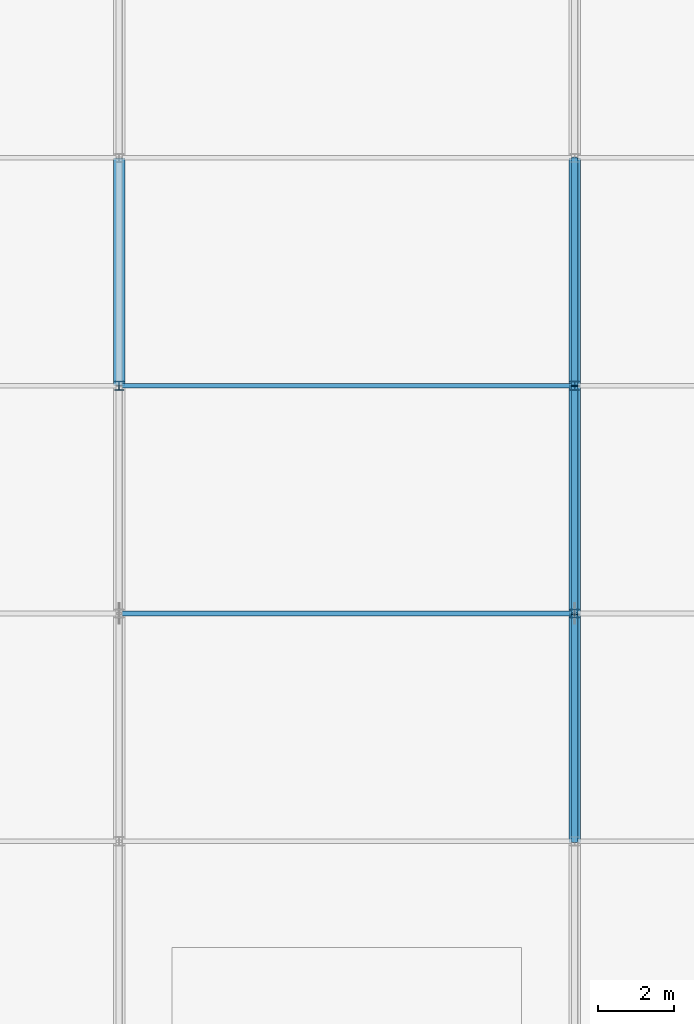
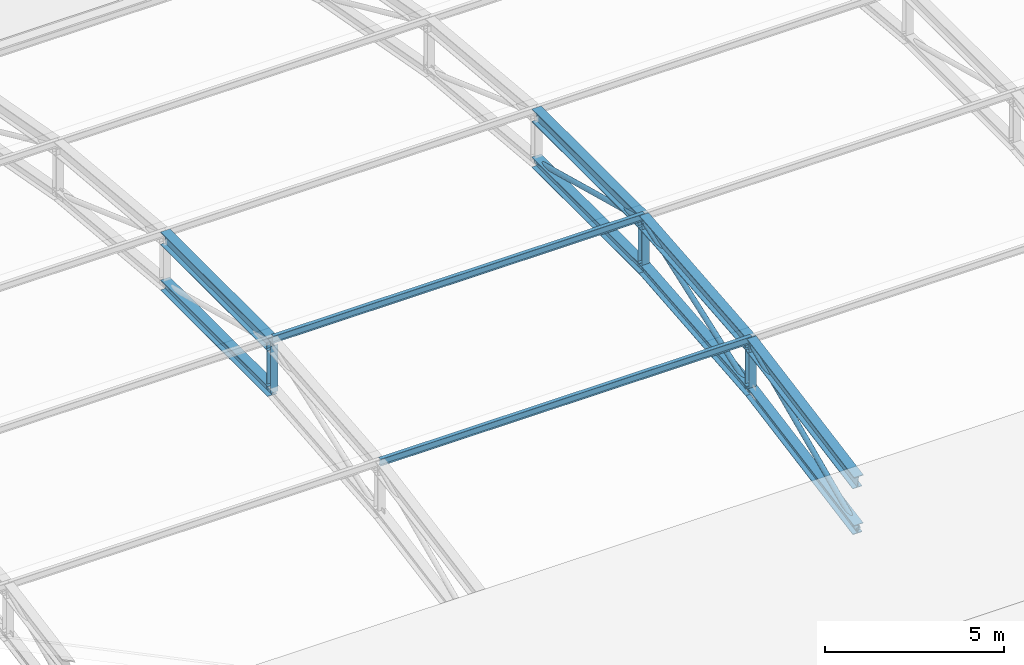
# One storey, part 93 of 204: 16 members.
"""IFC4 building model written with IfcOpenShell, lengths in metres."""

from ifc_helpers import new_model, si_unit, direction, frame, origin, origin_2d, place, context, subcontext, project, spatial, hollow_circle, i_section, extrude, material, material_profile, profile_set, type_object, element, save


model = new_model("IFC4")

# Units and contexts
model_context = context("Model", 3, precision=1e-05, world=origin(), true_north=direction((0.0, 1.0)))
body_context = subcontext(model_context, "Body", "Model", "MODEL_VIEW")
ifc_project = project(units=[si_unit("LENGTHUNIT", "METRE"), si_unit("AREAUNIT", "SQUARE_METRE"), si_unit("VOLUMEUNIT", "CUBIC_METRE"), si_unit("PLANEANGLEUNIT", "RADIAN"), si_unit("MASSUNIT", "GRAM", prefix="KILO")], contexts=[model_context])

# Site, building, storey
site_placement = place(None, origin())
site = spatial("IfcSite", under=ifc_project, at=site_placement, CompositionType="ELEMENT")
building_placement = place(site_placement, origin())
building = spatial("IfcBuilding", under=site, at=building_placement, Name="Zilviju Railside Exhibition Hall", CompositionType="ELEMENT")
storey_placement = place(building_placement, frame((0.0, 0.0, 21.0)))
storey = spatial("IfcBuildingStorey", under=building, at=storey_placement, Name="RF", CompositionType="ELEMENT", Elevation=21.0)

# Members
ifc_material = material(Name="Steel S355J2", Category="steel")
ifc_material_profile_1 = material_profile(ifc_material, hollow_circle(Radius=0.084228515625, WallThickness=0.008056640625, at=origin_2d()), Name="CHS 168.3x8.0")
ifc_profile_set_1 = profile_set([ifc_material_profile_1], Name="Steel S355J2")
member_type_1 = type_object("IfcMemberType", Name="TR-BR-CHS168", PredefinedType="BRACE", material=ifc_profile_set_1)
member_1_placement = place(storey_placement, frame((156.0, 12.0, -3.928466796875), z_axis=(0.0, 0.911563042822, 0.411160332425), x_axis=(-1.0, 0.0, 0.0)))
element("IfcMember", 1, at=member_1_placement, inside=storey, type_object=member_type_1, Name="V1 Parabolic Arch Web Diagonal X=156.0 P3", PredefinedType="BRACE", context=body_context, shape_type="SweptSolid", body=[
    extrude(hollow_circle(Radius=0.084228515625, WallThickness=0.008056640625, at=origin_2d()), origin(), (0.0, 0.0, 1.0), 6.58203125),
])
member_2_placement = place(storey_placement, frame((156.0, 18.0, -2.822265625), z_axis=(0.0, 0.94123307508, 0.337757751023), x_axis=(-1.0, 0.0, 0.0)))
element("IfcMember", 2, at=member_2_placement, inside=storey, type_object=member_type_1, Name="V1 Parabolic Arch Web Diagonal X=156.0 P4", PredefinedType="BRACE", context=body_context, shape_type="SweptSolid", body=[
    extrude(hollow_circle(Radius=0.084228515625, WallThickness=0.008056640625, at=origin_2d()), origin(), (0.0, 0.0, 1.0), 6.37451171875),
])
member_3_placement = place(storey_placement, frame((156.0, 24.0, -0.669189453125), z_axis=(0.0, 0.966240812345, -0.257640626762), x_axis=(-1.0, 0.0, 0.0)))
element("IfcMember", 3, at=member_3_placement, inside=storey, type_object=member_type_1, Name="V1 Parabolic Arch Web Diagonal X=156.0 P5", PredefinedType="BRACE", context=body_context, shape_type="SweptSolid", body=[
    extrude(hollow_circle(Radius=0.084228515625, WallThickness=0.008056640625, at=origin_2d()), origin(), (0.0, 0.0, 1.0), 6.209716796875),
])
ifc_material_profile_2 = material_profile(ifc_material, i_section(OverallWidth=0.300048828125, OverallDepth=0.360107421875, WebThickness=0.012451171875, FlangeThickness=0.0224609375, at=origin_2d()), Name="HEB 360")
ifc_profile_set_2 = profile_set([ifc_material_profile_2], Name="Steel S355J2")
member_type_2 = type_object("IfcMemberType", Name="TR-CH-HEB360", PredefinedType="CHORD", material=ifc_profile_set_2)
member_4_placement = place(storey_placement, frame((144.0, 24.0, -2.26904296875), z_axis=(0.0, 1.0, 0.0), x_axis=(-1.0, 0.0, 0.0)))
element("IfcMember", 4, at=member_4_placement, inside=storey, type_object=member_type_2, Name="V1 Parabolic Arch Bottom Chord X=144.0 P5", PredefinedType="CHORD", context=body_context, shape_type="SweptSolid", body=[
    extrude(i_section(OverallWidth=0.300048828125, OverallDepth=0.360107421875, WebThickness=0.012451171875, FlangeThickness=0.0224609375, at=origin_2d()), origin(), (0.0, 0.0, 1.0), 6.0),
])
member_5_placement = place(storey_placement, frame((156.0, 12.0, -3.928466796875), z_axis=(0.0, 0.98342578549, 0.18131112606), x_axis=(-1.0, 0.0, 0.0)))
element("IfcMember", 5, at=member_5_placement, inside=storey, type_object=member_type_2, Name="V1 Parabolic Arch Bottom Chord X=156.0 P3", PredefinedType="CHORD", context=body_context, shape_type="SweptSolid", body=[
    extrude(i_section(OverallWidth=0.300048828125, OverallDepth=0.360107421875, WebThickness=0.012451171875, FlangeThickness=0.0224609375, at=origin_2d()), origin(), (0.0, 0.0, 1.0), 6.10107421875),
])
member_6_placement = place(storey_placement, frame((156.0, 18.0, -2.822265625), z_axis=(0.0, 0.995776144786, 0.091814320641), x_axis=(-1.0, 0.0, 0.0)))
element("IfcMember", 6, at=member_6_placement, inside=storey, type_object=member_type_2, Name="V1 Parabolic Arch Bottom Chord X=156.0 P4", PredefinedType="CHORD", context=body_context, shape_type="SweptSolid", body=[
    extrude(i_section(OverallWidth=0.300048828125, OverallDepth=0.360107421875, WebThickness=0.012451171875, FlangeThickness=0.0224609375, at=origin_2d()), origin(), (0.0, 0.0, 1.0), 6.025390625),
])
member_7_placement = place(storey_placement, frame((156.0, 24.0, -2.26904296875), z_axis=(0.0, 1.0, 0.0), x_axis=(-1.0, 0.0, 0.0)))
element("IfcMember", 7, at=member_7_placement, inside=storey, type_object=member_type_2, Name="V1 Parabolic Arch Bottom Chord X=156.0 P5", PredefinedType="CHORD", context=body_context, shape_type="SweptSolid", body=[
    extrude(i_section(OverallWidth=0.300048828125, OverallDepth=0.360107421875, WebThickness=0.012451171875, FlangeThickness=0.0224609375, at=origin_2d()), origin(), (0.0, 0.0, 1.0), 6.0),
])
ifc_material_profile_3 = material_profile(ifc_material, i_section(OverallWidth=0.300048828125, OverallDepth=0.449951171875, WebThickness=0.013916015625, FlangeThickness=0.02587890625, at=origin_2d()), Name="HEB 450")
ifc_profile_set_3 = profile_set([ifc_material_profile_3], Name="Steel S355J2")
member_type_3 = type_object("IfcMemberType", Name="TR-CH-HEB450", PredefinedType="CHORD", material=ifc_profile_set_3)
member_8_placement = place(storey_placement, frame((144.0, 24.0, -0.669189453125), z_axis=(0.0, 1.0, 0.0), x_axis=(-1.0, 0.0, 0.0)))
element("IfcMember", 8, at=member_8_placement, inside=storey, type_object=member_type_3, Name="V1 Parabolic Arch Top Chord X=144.0 P5", PredefinedType="CHORD", context=body_context, shape_type="SweptSolid", body=[
    extrude(i_section(OverallWidth=0.300048828125, OverallDepth=0.449951171875, WebThickness=0.013916015625, FlangeThickness=0.02587890625, at=origin_2d()), origin(), (0.0, 0.0, 1.0), 6.0),
])
member_9_placement = place(storey_placement, frame((156.0, 12.0, -2.328369140625), z_axis=(0.0, 0.98342578549, 0.18131112606), x_axis=(-1.0, 0.0, 0.0)))
element("IfcMember", 9, at=member_9_placement, inside=storey, type_object=member_type_3, Name="V1 Parabolic Arch Top Chord X=156.0 P3", PredefinedType="CHORD", context=body_context, shape_type="SweptSolid", body=[
    extrude(i_section(OverallWidth=0.300048828125, OverallDepth=0.449951171875, WebThickness=0.013916015625, FlangeThickness=0.02587890625, at=origin_2d()), origin(), (0.0, 0.0, 1.0), 6.10107421875),
])
member_10_placement = place(storey_placement, frame((156.0, 18.0, -1.22216796875), z_axis=(0.0, 0.99577984843, 0.091774143746), x_axis=(-1.0, 0.0, 0.0)))
element("IfcMember", 10, at=member_10_placement, inside=storey, type_object=member_type_3, Name="V1 Parabolic Arch Top Chord X=156.0 P4", PredefinedType="CHORD", context=body_context, shape_type="SweptSolid", body=[
    extrude(i_section(OverallWidth=0.300048828125, OverallDepth=0.449951171875, WebThickness=0.013916015625, FlangeThickness=0.02587890625, at=origin_2d()), origin(), (0.0, 0.0, 1.0), 6.025390625),
])
member_11_placement = place(storey_placement, frame((156.0, 24.0, -0.669189453125), z_axis=(0.0, 1.0, 0.0), x_axis=(-1.0, 0.0, 0.0)))
element("IfcMember", 11, at=member_11_placement, inside=storey, type_object=member_type_3, Name="V1 Parabolic Arch Top Chord X=156.0 P5", PredefinedType="CHORD", context=body_context, shape_type="SweptSolid", body=[
    extrude(i_section(OverallWidth=0.300048828125, OverallDepth=0.449951171875, WebThickness=0.013916015625, FlangeThickness=0.02587890625, at=origin_2d()), origin(), (0.0, 0.0, 1.0), 6.0),
])
ifc_material_profile_4 = material_profile(ifc_material, i_section(OverallWidth=0.239990234375, OverallDepth=0.22998046875, WebThickness=0.007568359375, FlangeThickness=0.011962890625, at=origin_2d()), Name="HEA 240")
ifc_profile_set_4 = profile_set([ifc_material_profile_4], Name="Steel S355J2")
member_type_4 = type_object("IfcMemberType", Name="TR-POST-HEA240", PredefinedType="POST", material=ifc_profile_set_4)
member_12_placement = place(storey_placement, frame((144.0, 24.0, -2.26904296875), z_axis=(0.0, 0.0, 1.0), x_axis=(1.0, 0.0, 0.0)))
element("IfcMember", 12, at=member_12_placement, inside=storey, type_object=member_type_4, Name="V1 Parabolic Arch Web Post X=144.0 N4", PredefinedType="POST", context=body_context, shape_type="SweptSolid", body=[
    extrude(i_section(OverallWidth=0.239990234375, OverallDepth=0.22998046875, WebThickness=0.007568359375, FlangeThickness=0.011962890625, at=origin_2d()), origin(), (0.0, 0.0, 1.0), 1.599853515625),
])
member_13_placement = place(storey_placement, frame((156.0, 18.0, -2.822265625), z_axis=(0.0, 0.0, 1.0), x_axis=(1.0, 0.0, 0.0)))
element("IfcMember", 13, at=member_13_placement, inside=storey, type_object=member_type_4, Name="V1 Parabolic Arch Web Post X=156.0 N3", PredefinedType="POST", context=body_context, shape_type="SweptSolid", body=[
    extrude(i_section(OverallWidth=0.239990234375, OverallDepth=0.22998046875, WebThickness=0.007568359375, FlangeThickness=0.011962890625, at=origin_2d()), origin(), (0.0, 0.0, 1.0), 1.60009765625),
])
member_14_placement = place(storey_placement, frame((156.0, 24.0, -2.26904296875), z_axis=(0.0, 0.0, 1.0), x_axis=(1.0, 0.0, 0.0)))
element("IfcMember", 14, at=member_14_placement, inside=storey, type_object=member_type_4, Name="V1 Parabolic Arch Web Post X=156.0 N4", PredefinedType="POST", context=body_context, shape_type="SweptSolid", body=[
    extrude(i_section(OverallWidth=0.239990234375, OverallDepth=0.22998046875, WebThickness=0.007568359375, FlangeThickness=0.011962890625, at=origin_2d()), origin(), (0.0, 0.0, 1.0), 1.599853515625),
])
ifc_material_profile_5 = material_profile(ifc_material, i_section(OverallWidth=0.1201171875, OverallDepth=0.239990234375, WebThickness=0.006103515625, FlangeThickness=0.009765625, at=origin_2d()), Name="IPE 240")
ifc_profile_set_5 = profile_set([ifc_material_profile_5], Name="Steel S355J2")
member_type_5 = type_object("IfcMemberType", Name="TR-PUR-IPE240", PredefinedType="PURLIN", material=ifc_profile_set_5)
for number, where, z_axis, x_axis, name in (
    (15, (144.0, 18.0, -1.0771484375), (1.0, 0.0, 0.0), (0.0, 1.0, 0.0), "V1 Barrel Vault Roof Purlin Y=18.0 (144.0..156.0)"),
    (16, (144.0, 24.0, -0.515625), (1.0, 0.0, 0.0), (0.0, 1.0, 0.0), "V1 Barrel Vault Roof Purlin Y=24.0 (144.0..156.0)"),
):
    element("IfcMember", number, at=place(storey_placement, frame(where, z_axis=z_axis, x_axis=x_axis)), inside=storey, type_object=member_type_5, Name=name, PredefinedType="PURLIN", context=body_context, shape_type="SweptSolid", body=[
        extrude(i_section(OverallWidth=0.1201171875, OverallDepth=0.239990234375, WebThickness=0.006103515625, FlangeThickness=0.009765625, at=origin_2d()), origin(), (0.0, 0.0, 1.0), 12.0),
    ])

save(model, "model.ifc")
